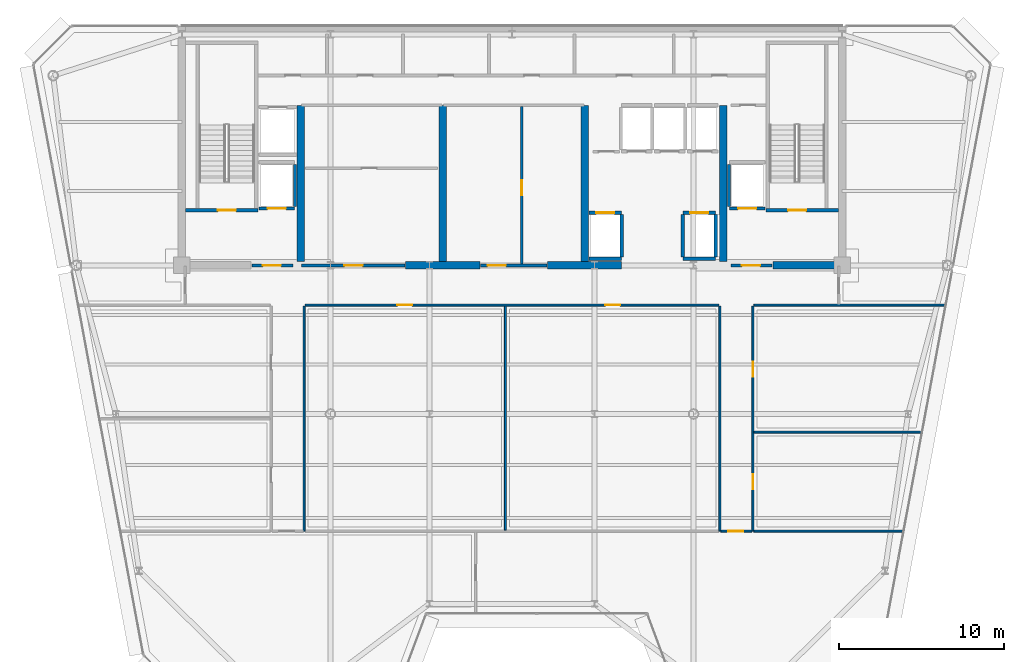
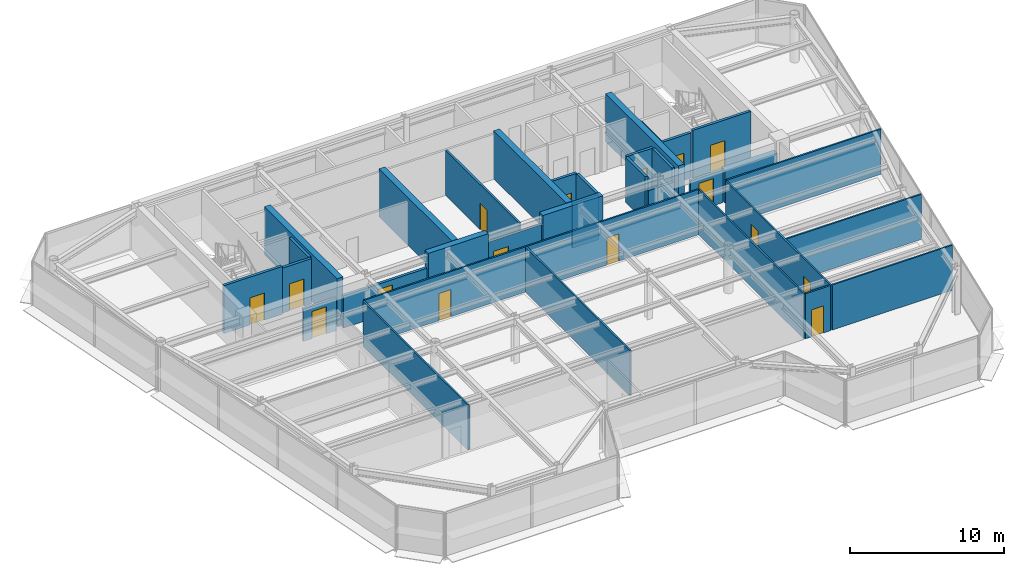
# One storey, part 10 of 19: 34 walls, 16 doors, 16 openings.
"""IFC4 building model written with IfcOpenShell, lengths in metres."""

from ifc_helpers import new_model, si_unit, direction, frame, frame_2d, origin, place, context, subcontext, project, spatial, rectangle, extrude, source, transform, mapped, material, layer, layer_set, type_object, element, fill, save


model = new_model("IFC4")

# Units and contexts
model_context = context("Model", 3, precision=1e-05, world=origin(), true_north=direction((0.0, 1.0)))
body_context = subcontext(model_context, "Body", "Model", "MODEL_VIEW")
ifc_project = project(units=[si_unit("LENGTHUNIT", "METRE"), si_unit("AREAUNIT", "SQUARE_METRE"), si_unit("VOLUMEUNIT", "CUBIC_METRE"), si_unit("PLANEANGLEUNIT", "RADIAN"), si_unit("MASSUNIT", "GRAM", prefix="KILO")], contexts=[model_context])

# Site, building, storey
site_placement = place(None, origin())
site = spatial("IfcSite", under=ifc_project, at=site_placement, CompositionType="ELEMENT")
building_placement = place(site_placement, origin())
building = spatial("IfcBuilding", under=site, at=building_placement, Name="Vaeldorn Concourse Tower", CompositionType="ELEMENT")
storey_placement = place(building_placement, frame((0.0, 0.0, 249.800048828125)))
storey = spatial("IfcBuildingStorey", under=building, at=storey_placement, Name="L64", CompositionType="ELEMENT", Elevation=249.800048828125)

# Walls
ifc_material_1 = material(Name="Concrete C50/60", Category="concrete")
ifc_layer_1 = layer(ifc_material_1, 0.449951171875)
ifc_layer_set_1 = layer_set([ifc_layer_1], Name="Concrete C50/60")
wall_type_1 = type_object("IfcWallType", Name="WL-CORE-450", PredefinedType="SHEAR", material=ifc_layer_set_1)
for number, where, z_axis, x_axis, name in (
    (1, (27.550048828125, 36.5, 0.0), (0.0, 0.0, 1.0), (1.0, 0.0, 0.0), "Rear Core Shear Wall L64 S2"),
    (2, (36.14990234375, 36.5, 0.0), (0.0, 0.0, 1.0), (1.0, 0.0, 0.0), "Rear Core Shear Wall L64 S3"),
):
    element("IfcWall", number, at=place(storey_placement, frame(where, z_axis=z_axis, x_axis=x_axis)), inside=storey, type_object=wall_type_1, Name=name, PredefinedType="SHEAR", context=body_context, shape_type="SweptSolid", body=[
        extrude(rectangle(XDim=4.5, YDim=0.449951171875, at=frame_2d((2.25, 0.0))), origin(), (0.0, 0.0, 1.0), 3.800048828125),
    ])
wall_1_placement = place(storey_placement, frame((49.800048828125, 36.5, 0.0), z_axis=(0.0, 0.0, 1.0), x_axis=(1.0, 0.0, 0.0)))
element("IfcWall", 3, at=wall_1_placement, inside=storey, type_object=wall_type_1, Name="Rear Core Shear Wall L64 S4", PredefinedType="SHEAR", context=body_context, shape_type="SweptSolid", body=[
    extrude(rectangle(XDim=3.954833984375, YDim=0.449951171875, at=frame_2d((1.9775390625, 0.0))), origin(), (0.0, 0.0, 1.0), 2.579833984375),
])
for number, where, z_axis, x_axis, name in (
    (4, (21.199951171875, 36.7451171875, 0.0), (0.0, 0.0, 1.0), (0.0, 1.0, 0.0), "Rear Core Shear Wall L64 M1"),
    (5, (29.800048828125, 36.7451171875, 0.0), (0.0, 0.0, 1.0), (0.0, 1.0, 0.0), "Rear Core Shear Wall L64 M2"),
    (6, (38.39990234375, 36.7451171875, 0.0), (0.0, 0.0, 1.0), (0.0, 1.0, 0.0), "Rear Core Shear Wall L64 M3"),
    (7, (46.800048828125, 36.7451171875, 0.0), (0.0, 0.0, 1.0), (0.0, 1.0, 0.0), "Rear Core Shear Wall L64 M4"),
):
    element("IfcWall", number, at=place(storey_placement, frame(where, z_axis=z_axis, x_axis=x_axis)), inside=storey, type_object=wall_type_1, Name=name, PredefinedType="SHEAR", context=body_context, shape_type="SweptSolid", body=[
        extrude(rectangle(XDim=9.454833984375, YDim=0.449951171875, at=frame_2d((4.7275390625, 0.0))), origin(), (0.0, 0.0, 1.0), 3.800048828125),
    ])

# Wall, openings, doors
ifc_material_2 = material(Name="Gypsum Board Partition", Category="gypsum")
ifc_layer_2 = layer(ifc_material_2, 0.1201171875)
ifc_layer_set_2 = layer_set([ifc_layer_2], Name="Gypsum Board Partition")
wall_type_2 = type_object("IfcWallType", Name="WL-PART-120", PredefinedType="PARTITIONING", material=ifc_layer_set_2)
wall_2_placement = place(storey_placement, frame((21.4599609375, 34.10009765625, 0.0), z_axis=(0.0, 0.0, 1.0), x_axis=(1.0, 0.0, 0.0)))
wall_2 = element("IfcWall", 8, at=wall_2_placement, inside=storey, type_object=wall_type_2, Name="Interior Wall PW-L64-CEWS", PredefinedType="PARTITIONING", context=body_context, shape_type="SweptSolid", body=[
    extrude(rectangle(XDim=25.080078125, YDim=0.1201171875, at=frame_2d((12.5400390625, 0.0))), origin(), (0.0, 0.0, 1.0), 3.579833984375),
])
opening_1_placement = place(wall_2_placement, frame((5.590087890625, 0.0, 0.0)))
opening_1 = element("IfcOpeningElement", 9, at=opening_1_placement, cuts=wall_2, Name="Opening D-03", PredefinedType="OPENING", context=body_context, shape_type="SweptSolid", body=[
    extrude(rectangle(XDim=0.89990234375, YDim=2.14990234375, at=frame_2d((0.449951171875, 1.074951171875))), frame((0.0, 0.070068359375, 0.0), z_axis=(0.0, -1.0, 0.0), x_axis=(1.0, 0.0, 0.0)), (0.0, 0.0, 1.0), 0.14013671875),
])
opening_2_placement = place(wall_2_placement, frame((18.18994140625, 0.0, 0.0)))
opening_2 = element("IfcOpeningElement", 10, at=opening_2_placement, cuts=wall_2, Name="Opening D-03", PredefinedType="OPENING", context=body_context, shape_type="SweptSolid", body=[
    extrude(rectangle(XDim=0.89990234375, YDim=2.14990234375, at=frame_2d((0.449951171875, 1.074951171875))), frame((0.0, 0.070068359375, 0.0), z_axis=(0.0, -1.0, 0.0), x_axis=(1.0, 0.0, 0.0)), (0.0, 0.0, 1.0), 0.14013671875),
])
ifc_material_3 = material(Name="Acoustic Bronze-Framed Glass Door", Category="glass")
door_type_1 = type_object("IfcDoorType", Name="DR-INT-900", OperationType="NOTDEFINED", PredefinedType="DOOR", material=ifc_material_3)
shared_shape_1 = source(origin(), body_context, "Body", "SweptSolid", [
    extrude(rectangle(XDim=0.89990234375, YDim=2.14990234375, at=frame_2d((0.449951171875, 1.074951171875))), frame((0.0, 0.02490234375, 0.0), z_axis=(0.0, -1.0, 0.0), x_axis=(1.0, 0.0, 0.0)), (0.0, 0.0, 1.0), 0.050048828125),
])
door_1_placement = place(opening_1_placement, origin())
door_1 = element("IfcDoor", 11, at=door_1_placement, inside=storey, type_object=door_type_1, Name="Interior Door DR-L64-H1", OperationType="SINGLE_SWING_LEFT", OverallHeight=2.14990234375, OverallWidth=0.89990234375, PredefinedType="DOOR", context=body_context, shape_type="MappedRepresentation", body=[
    mapped(shared_shape_1, transform((0.0, 0.0, 0.0), scale=1.0)),
])
fill(opening_1, door_1)
door_2_placement = place(opening_2_placement, origin())
door_2 = element("IfcDoor", 12, at=door_2_placement, inside=storey, type_object=door_type_1, Name="Interior Door DR-L64-H2", OperationType="SINGLE_SWING_RIGHT", OverallHeight=2.14990234375, OverallWidth=0.89990234375, PredefinedType="DOOR", context=body_context, shape_type="MappedRepresentation", body=[
    mapped(shared_shape_1, transform((0.0, 0.0, 0.0), scale=1.0)),
])
fill(opening_2, door_2)

# Walls
wall_3_placement = place(storey_placement, frame((48.659912109375, 34.10009765625, 0.0), z_axis=(0.0, 0.0, 1.0), x_axis=(1.0, 0.0, 0.0)))
element("IfcWall", 13, at=wall_3_placement, inside=storey, type_object=wall_type_2, Name="Interior Wall PW-L64-CEWE", PredefinedType="PARTITIONING", context=body_context, shape_type="SweptSolid", body=[
    extrude(rectangle(XDim=11.58154296875, YDim=0.1201171875, at=frame_2d((5.790771484375, 0.0))), origin(), (0.0, 0.0, 1.0), 3.579833984375),
])
for number, where, z_axis, x_axis, name in (
    (14, (21.39990234375, 20.39990234375, 0.0), (0.0, 0.0, 1.0), (0.0, 1.0, 0.0), "Interior Wall PW-L64-CWE"),
    (15, (46.60009765625, 20.39990234375, 0.0), (0.0, 0.0, 1.0), (0.0, 1.0, 0.0), "Interior Wall PW-L64-CEW"),
):
    element("IfcWall", number, at=place(storey_placement, frame(where, z_axis=z_axis, x_axis=x_axis)), inside=storey, type_object=wall_type_2, Name=name, PredefinedType="PARTITIONING", context=body_context, shape_type="SweptSolid", body=[
        extrude(rectangle(XDim=13.64013671875, YDim=0.1201171875, at=frame_2d((6.820068359375, 0.0))), origin(), (0.0, 0.0, 1.0), 3.579833984375),
    ])

# Wall, openings, doors
wall_4_placement = place(storey_placement, frame((48.60009765625, 20.39990234375, 0.0), z_axis=(0.0, 0.0, 1.0), x_axis=(0.0, 1.0, 0.0)))
wall_4 = element("IfcWall", 16, at=wall_4_placement, inside=storey, type_object=wall_type_2, Name="Interior Wall PW-L64-CEE", PredefinedType="PARTITIONING", context=body_context, shape_type="SweptSolid", body=[
    extrude(rectangle(XDim=13.64013671875, YDim=0.1201171875, at=frame_2d((6.820068359375, 0.0))), origin(), (0.0, 0.0, 1.0), 3.579833984375),
])
opening_3_placement = place(wall_4_placement, frame((2.550048828125, 0.0, 0.0)))
opening_3 = element("IfcOpeningElement", 17, at=opening_3_placement, cuts=wall_4, Name="Opening D-03", PredefinedType="OPENING", context=body_context, shape_type="SweptSolid", body=[
    extrude(rectangle(XDim=0.89990234375, YDim=2.14990234375, at=frame_2d((0.449951171875, 1.074951171875))), frame((0.0, 0.070068359375, 0.0), z_axis=(0.0, -1.0, 0.0), x_axis=(1.0, 0.0, 0.0)), (0.0, 0.0, 1.0), 0.14013671875),
])
opening_4_placement = place(wall_4_placement, frame((9.3701171875, 0.0, 0.0)))
opening_4 = element("IfcOpeningElement", 18, at=opening_4_placement, cuts=wall_4, Name="Opening D-03", PredefinedType="OPENING", context=body_context, shape_type="SweptSolid", body=[
    extrude(rectangle(XDim=0.89990234375, YDim=2.14990234375, at=frame_2d((0.449951171875, 1.074951171875))), frame((0.0, 0.070068359375, 0.0), z_axis=(0.0, -1.0, 0.0), x_axis=(1.0, 0.0, 0.0)), (0.0, 0.0, 1.0), 0.14013671875),
])
door_3_placement = place(opening_3_placement, origin())
door_3 = element("IfcDoor", 19, at=door_3_placement, inside=storey, type_object=door_type_1, Name="Interior Door DR-L64-E1", OperationType="SINGLE_SWING_RIGHT", OverallHeight=2.14990234375, OverallWidth=0.89990234375, PredefinedType="DOOR", context=body_context, shape_type="MappedRepresentation", body=[
    mapped(shared_shape_1, transform((0.0, 0.0, 0.0), scale=1.0)),
])
fill(opening_3, door_3)
door_4_placement = place(opening_4_placement, origin())
door_4 = element("IfcDoor", 20, at=door_4_placement, inside=storey, type_object=door_type_1, Name="Interior Door DR-L64-E2", OperationType="SINGLE_SWING_LEFT", OverallHeight=2.14990234375, OverallWidth=0.89990234375, PredefinedType="DOOR", context=body_context, shape_type="MappedRepresentation", body=[
    mapped(shared_shape_1, transform((0.0, 0.0, 0.0), scale=1.0)),
])
fill(opening_4, door_4)

# Wall, opening, door
wall_5_placement = place(storey_placement, frame((46.659912109375, 20.39990234375, 0.0), z_axis=(0.0, 0.0, 1.0), x_axis=(1.0, 0.0, 0.0)))
wall_5 = element("IfcWall", 21, at=wall_5_placement, inside=storey, type_object=wall_type_2, Name="Interior Wall PW-L64-CES", PredefinedType="PARTITIONING", context=body_context, shape_type="SweptSolid", body=[
    extrude(rectangle(XDim=1.880126953125, YDim=0.1201171875, at=frame_2d((0.93994140625, 0.0))), origin(), (0.0, 0.0, 1.0), 3.579833984375),
])
opening_5_placement = place(wall_5_placement, frame((0.449951171875, 0.0, 0.0)))
opening_5 = element("IfcOpeningElement", 22, at=opening_5_placement, cuts=wall_5, Name="Opening D-03", PredefinedType="OPENING", context=body_context, shape_type="SweptSolid", body=[
    extrude(rectangle(XDim=0.89990234375, YDim=2.14990234375, at=frame_2d((0.449951171875, 1.074951171875))), frame((0.0, 0.070068359375, 0.0), z_axis=(0.0, -1.0, 0.0), x_axis=(1.0, 0.0, 0.0)), (0.0, 0.0, 1.0), 0.14013671875),
])
door_5_placement = place(opening_5_placement, origin())
door_5 = element("IfcDoor", 23, at=door_5_placement, inside=storey, type_object=door_type_1, Name="Interior Door DR-L64-SEL", OperationType="SINGLE_SWING_RIGHT", OverallHeight=2.14990234375, OverallWidth=0.89990234375, PredefinedType="DOOR", context=body_context, shape_type="MappedRepresentation", body=[
    mapped(shared_shape_1, transform((0.0, 0.0, 0.0), scale=1.0)),
])
fill(opening_5, door_5)

# Walls
wall_6_placement = place(storey_placement, frame((48.659912109375, 20.39990234375, 0.0), z_axis=(0.0, 0.0, 1.0), x_axis=(1.0, 0.0, 0.0)))
element("IfcWall", 24, at=wall_6_placement, inside=storey, type_object=wall_type_2, Name="Interior Wall PW-L64-EY0", PredefinedType="PARTITIONING", context=body_context, shape_type="SweptSolid", body=[
    extrude(rectangle(XDim=9.030517578125, YDim=0.1201171875, at=frame_2d((4.51513671875, 0.0))), origin(), (0.0, 0.0, 1.0), 3.579833984375),
])
wall_7_placement = place(storey_placement, frame((48.659912109375, 26.39990234375, 0.0), z_axis=(0.0, 0.0, 1.0), x_axis=(1.0, 0.0, 0.0)))
element("IfcWall", 25, at=wall_7_placement, inside=storey, type_object=wall_type_2, Name="Interior Wall PW-L64-EY1", PredefinedType="PARTITIONING", context=body_context, shape_type="SweptSolid", body=[
    extrude(rectangle(XDim=10.147705078125, YDim=0.1201171875, at=frame_2d((5.07373046875, 0.0))), origin(), (0.0, 0.0, 1.0), 3.579833984375),
])
wall_8_placement = place(storey_placement, frame((33.60009765625, 20.4599609375, 0.0), z_axis=(0.0, 0.0, 1.0), x_axis=(0.0, 1.0, 0.0)))
element("IfcWall", 26, at=wall_8_placement, inside=storey, type_object=wall_type_2, Name="Interior Wall PW-L64-HX1", PredefinedType="PARTITIONING", context=body_context, shape_type="SweptSolid", body=[
    extrude(rectangle(XDim=13.580078125, YDim=0.1201171875, at=frame_2d((6.7900390625, 0.0))), origin(), (0.0, 0.0, 1.0), 3.579833984375),
])

# Wall, opening, door
ifc_layer_3 = layer(ifc_material_2, 0.14990234375)
ifc_layer_set_3 = layer_set([ifc_layer_3], Name="Gypsum Board Partition")
wall_type_3 = type_object("IfcWallType", Name="WL-PART-150", PredefinedType="PARTITIONING", material=ifc_layer_set_3)
wall_9_placement = place(storey_placement, frame((34.60009765625, 36.56005859375, 0.0), z_axis=(0.0, 0.0, 1.0), x_axis=(0.0, 1.0, 0.0)))
wall_9 = element("IfcWall", 27, at=wall_9_placement, inside=storey, type_object=wall_type_3, Name="Interior Wall CW-L64-R2M", PredefinedType="PARTITIONING", context=body_context, shape_type="SweptSolid", body=[
    extrude(rectangle(XDim=9.579833984375, YDim=0.14990234375, at=frame_2d((4.7900390625, 0.0))), origin(), (0.0, 0.0, 1.0), 3.579833984375),
])
opening_6_placement = place(wall_9_placement, frame((4.199951171875, 0.0, 0.0)))
opening_6 = element("IfcOpeningElement", 28, at=opening_6_placement, cuts=wall_9, Name="Opening D-02", PredefinedType="OPENING", context=body_context, shape_type="SweptSolid", body=[
    extrude(rectangle(XDim=0.89990234375, YDim=2.10009765625, at=frame_2d((0.449951171875, 1.050048828125))), frame((0.0, 0.0849609375, 0.0), z_axis=(0.0, -1.0, 0.0), x_axis=(1.0, 0.0, 0.0)), (0.0, 0.0, 1.0), 0.169921875),
])
ifc_material_4 = material(Name="Fire-Rated Timber Leaf", Category="wood")
door_type_2 = type_object("IfcDoorType", Name="DR-FD30-900", OperationType="NOTDEFINED", PredefinedType="DOOR", material=ifc_material_4)
shared_shape_2 = source(origin(), body_context, "Body", "SweptSolid", [
    extrude(rectangle(XDim=0.89990234375, YDim=2.10009765625, at=frame_2d((0.449951171875, 1.050048828125))), frame((0.0, 0.02490234375, 0.0), z_axis=(0.0, -1.0, 0.0), x_axis=(1.0, 0.0, 0.0)), (0.0, 0.0, 1.0), 0.050048828125),
])
door_6_placement = place(opening_6_placement, origin())
door_6 = element("IfcDoor", 29, at=door_6_placement, inside=storey, type_object=door_type_2, Name="Interior Door DR-L64-R2E", OperationType="SINGLE_SWING_RIGHT", OverallHeight=2.10009765625, OverallWidth=0.89990234375, PredefinedType="DOOR", context=body_context, shape_type="MappedRepresentation", body=[
    mapped(shared_shape_2, transform((0.0, 0.0, 0.0), scale=1.0)),
])
fill(opening_6, door_6)

ifc_layer_4 = layer(ifc_material_1, 0.199951171875)
ifc_layer_set_4 = layer_set([ifc_layer_4], Name="Concrete C50/60")
wall_type_4 = type_object("IfcWallType", Name="WL-SHAFT-200", PredefinedType="SOLIDWALL", material=ifc_layer_set_4)
wall_10_placement = place(storey_placement, frame((14.22509765625, 39.85009765625, 0.0), z_axis=(0.0, 0.0, 1.0), x_axis=(1.0, 0.0, 0.0)))
wall_10 = element("IfcWall", 30, at=wall_10_placement, inside=storey, type_object=wall_type_4, Name="Stair Shaft Wall CW-L64-ST-1-S", PredefinedType="SOLIDWALL", context=body_context, shape_type="SweptSolid", body=[
    extrude(rectangle(XDim=4.375, YDim=0.199951171875, at=frame_2d((2.1875, 0.0))), origin(), (0.0, 0.0, 1.0), 3.800048828125),
])
opening_7_placement = place(wall_10_placement, frame((1.949951171875, 0.0, 0.0)))
opening_7 = element("IfcOpeningElement", 31, at=opening_7_placement, cuts=wall_10, Name="Opening D-01", PredefinedType="OPENING", context=body_context, shape_type="SweptSolid", body=[
    extrude(rectangle(XDim=1.10009765625, YDim=2.14990234375, at=frame_2d((0.550048828125, 1.074951171875))), frame((0.0, 0.10986328125, 0.0), z_axis=(0.0, -1.0, 0.0), x_axis=(1.0, 0.0, 0.0)), (0.0, 0.0, 1.0), 0.219970703125),
])
ifc_material_5 = material(Name="Fire-Rated Timber and Steel Leaf", Category="steel")
door_type_3 = type_object("IfcDoorType", Name="DR-FD60-1100", OperationType="NOTDEFINED", PredefinedType="DOOR", material=ifc_material_5)
shared_shape_3 = source(origin(), body_context, "Body", "SweptSolid", [
    extrude(rectangle(XDim=1.10009765625, YDim=2.14990234375, at=frame_2d((0.550048828125, 1.074951171875))), frame((0.0, 0.02490234375, 0.0), z_axis=(0.0, -1.0, 0.0), x_axis=(1.0, 0.0, 0.0)), (0.0, 0.0, 1.0), 0.050048828125),
])
door_7_placement = place(opening_7_placement, origin())
door_7 = element("IfcDoor", 32, at=door_7_placement, inside=storey, type_object=door_type_3, Name="Interior Door DR-L64-ST-1", OperationType="SINGLE_SWING_LEFT", OverallHeight=2.14990234375, OverallWidth=1.10009765625, PredefinedType="DOOR", context=body_context, shape_type="MappedRepresentation", body=[
    mapped(shared_shape_3, transform((0.0, 0.0, 0.0), scale=1.0)),
])
fill(opening_7, door_7)

wall_11_placement = place(storey_placement, frame((49.39990234375, 39.85009765625, 0.0), z_axis=(0.0, 0.0, 1.0), x_axis=(1.0, 0.0, 0.0)))
wall_11 = element("IfcWall", 33, at=wall_11_placement, inside=storey, type_object=wall_type_4, Name="Stair Shaft Wall CW-L64-ST-2-S", PredefinedType="SOLIDWALL", context=body_context, shape_type="SweptSolid", body=[
    extrude(rectangle(XDim=4.375, YDim=0.199951171875, at=frame_2d((2.1875, 0.0))), origin(), (0.0, 0.0, 1.0), 3.800048828125),
])
opening_8_placement = place(wall_11_placement, frame((1.324951171875, 0.0, 0.0)))
opening_8 = element("IfcOpeningElement", 34, at=opening_8_placement, cuts=wall_11, Name="Opening D-01", PredefinedType="OPENING", context=body_context, shape_type="SweptSolid", body=[
    extrude(rectangle(XDim=1.10009765625, YDim=2.14990234375, at=frame_2d((0.550048828125, 1.074951171875))), frame((0.0, 0.10986328125, 0.0), z_axis=(0.0, -1.0, 0.0), x_axis=(1.0, 0.0, 0.0)), (0.0, 0.0, 1.0), 0.219970703125),
])
door_8_placement = place(opening_8_placement, origin())
door_8 = element("IfcDoor", 35, at=door_8_placement, inside=storey, type_object=door_type_3, Name="Interior Door DR-L64-ST-2", OperationType="SINGLE_SWING_RIGHT", OverallHeight=2.14990234375, OverallWidth=1.10009765625, PredefinedType="DOOR", context=body_context, shape_type="MappedRepresentation", body=[
    mapped(shared_shape_3, transform((0.0, 0.0, 0.0), scale=1.0)),
])
fill(opening_8, door_8)

wall_12_placement = place(storey_placement, frame((18.25, 36.5, 0.0), z_axis=(0.0, 0.0, 1.0), x_axis=(1.0, 0.0, 0.0)))
wall_12 = element("IfcWall", 36, at=wall_12_placement, inside=storey, type_object=wall_type_4, Name="Interior Wall CW-L64-FF1S", PredefinedType="SOLIDWALL", context=body_context, shape_type="SweptSolid", body=[
    extrude(rectangle(XDim=2.469970703125, YDim=0.199951171875, at=frame_2d((1.23486328125, 0.0))), origin(), (0.0, 0.0, 1.0), 2.570068359375),
])
opening_9_placement = place(wall_12_placement, frame((0.64990234375, 0.0, 0.0)))
opening_9 = element("IfcOpeningElement", 37, at=opening_9_placement, cuts=wall_12, Name="Opening D-01", PredefinedType="OPENING", context=body_context, shape_type="SweptSolid", body=[
    extrude(rectangle(XDim=1.10009765625, YDim=2.14990234375, at=frame_2d((0.550048828125, 1.074951171875))), frame((0.0, 0.10986328125, 0.0), z_axis=(0.0, -1.0, 0.0), x_axis=(1.0, 0.0, 0.0)), (0.0, 0.0, 1.0), 0.219970703125),
])
door_9_placement = place(opening_9_placement, origin())
door_9 = element("IfcDoor", 38, at=door_9_placement, inside=storey, type_object=door_type_3, Name="Interior Door DR-L64-FF1E", OperationType="SINGLE_SWING_RIGHT", OverallHeight=2.14990234375, OverallWidth=1.10009765625, PredefinedType="DOOR", context=body_context, shape_type="MappedRepresentation", body=[
    mapped(shared_shape_3, transform((0.0, 0.0, 0.0), scale=1.0)),
])
fill(opening_9, door_9)

wall_13_placement = place(storey_placement, frame((47.280029296875, 36.5, 0.0), z_axis=(0.0, 0.0, 1.0), x_axis=(1.0, 0.0, 0.0)))
wall_13 = element("IfcWall", 39, at=wall_13_placement, inside=storey, type_object=wall_type_4, Name="Interior Wall CW-L64-FF2S", PredefinedType="SOLIDWALL", context=body_context, shape_type="SweptSolid", body=[
    extrude(rectangle(XDim=2.469970703125, YDim=0.199951171875, at=frame_2d((1.23486328125, 0.0))), origin(), (0.0, 0.0, 1.0), 2.570068359375),
])
opening_10_placement = place(wall_13_placement, frame((0.64990234375, 0.0, 0.0)))
opening_10 = element("IfcOpeningElement", 40, at=opening_10_placement, cuts=wall_13, Name="Opening D-01", PredefinedType="OPENING", context=body_context, shape_type="SweptSolid", body=[
    extrude(rectangle(XDim=1.10009765625, YDim=2.14990234375, at=frame_2d((0.550048828125, 1.074951171875))), frame((0.0, 0.10986328125, 0.0), z_axis=(0.0, -1.0, 0.0), x_axis=(1.0, 0.0, 0.0)), (0.0, 0.0, 1.0), 0.219970703125),
])
door_10_placement = place(opening_10_placement, origin())
door_10 = element("IfcDoor", 41, at=door_10_placement, inside=storey, type_object=door_type_3, Name="Interior Door DR-L64-FF2W", OperationType="SINGLE_SWING_LEFT", OverallHeight=2.14990234375, OverallWidth=1.10009765625, PredefinedType="DOOR", context=body_context, shape_type="MappedRepresentation", body=[
    mapped(shared_shape_3, transform((0.0, 0.0, 0.0), scale=1.0)),
])
fill(opening_10, door_10)

wall_14_placement = place(storey_placement, frame((38.669921875, 39.699951171875, 0.0), z_axis=(0.0, 0.0, 1.0), x_axis=(1.0, 0.0, 0.0)))
wall_14 = element("IfcWall", 42, at=wall_14_placement, inside=storey, type_object=wall_type_4, Name="Interior Wall CW-L64-LF-LF-13", PredefinedType="SOLIDWALL", context=body_context, shape_type="SweptSolid", body=[
    extrude(rectangle(XDim=1.9599609375, YDim=0.199951171875, at=frame_2d((0.97998046875, 0.0))), origin(), (0.0, 0.0, 1.0), 3.579833984375),
])
opening_11_placement = place(wall_14_placement, frame((0.429931640625, 0.0, 0.0)))
opening_11 = element("IfcOpeningElement", 43, at=opening_11_placement, cuts=wall_14, Name="Opening LD-1", PredefinedType="OPENING", context=body_context, shape_type="SweptSolid", body=[
    extrude(rectangle(XDim=1.10009765625, YDim=2.14990234375, at=frame_2d((0.550048828125, 1.074951171875))), frame((0.0, 0.10986328125, 0.0), z_axis=(0.0, -1.0, 0.0), x_axis=(1.0, 0.0, 0.0)), (0.0, 0.0, 1.0), 0.219970703125),
])
ifc_material_6 = material(Name="Anodised Bronze Aluminium", Category="aluminium")
door_type_4 = type_object("IfcDoorType", Name="DR-LIFT-SLIDE-1100", OperationType="DOUBLE_DOOR_SLIDING", PredefinedType="DOOR", material=ifc_material_6)
door_11_placement = place(opening_11_placement, origin())
door_11 = element("IfcDoor", 44, at=door_11_placement, inside=storey, type_object=door_type_4, Name="Lift Landing Door LD-L64-LF-13", OperationType="DOUBLE_DOOR_SLIDING", OverallHeight=2.14990234375, OverallWidth=1.10009765625, PredefinedType="DOOR", context=body_context, shape_type="MappedRepresentation", body=[
    mapped(shared_shape_3, transform((0.0, 0.0, 0.0), scale=1.0)),
])
fill(opening_11, door_11)

# Walls
wall_15_placement = place(storey_placement, frame((38.669921875, 36.89990234375, 0.0), z_axis=(0.0, 0.0, 1.0), x_axis=(1.0, 0.0, 0.0)))
element("IfcWall", 45, at=wall_15_placement, inside=storey, type_object=wall_type_4, Name="Interior Wall CW-L64-LFB-LF-13", PredefinedType="SOLIDWALL", context=body_context, shape_type="SweptSolid", body=[
    extrude(rectangle(XDim=1.9599609375, YDim=0.199951171875, at=frame_2d((0.97998046875, 0.0))), origin(), (0.0, 0.0, 1.0), 3.579833984375),
])
wall_16_placement = place(storey_placement, frame((40.64990234375, 37.02001953125, 0.0), z_axis=(0.0, 0.0, 1.0), x_axis=(0.0, 1.0, 0.0)))
element("IfcWall", 46, at=wall_16_placement, inside=storey, type_object=wall_type_4, Name="Interior Wall CW-L64-LFE-LF-13", PredefinedType="SOLIDWALL", context=body_context, shape_type="SweptSolid", body=[
    extrude(rectangle(XDim=2.56005859375, YDim=0.199951171875, at=frame_2d((1.280029296875, 0.0))), origin(), (0.0, 0.0, 1.0), 3.579833984375),
])

# Wall, opening, door
wall_17_placement = place(storey_placement, frame((44.3701171875, 39.699951171875, 0.0), z_axis=(0.0, 0.0, 1.0), x_axis=(1.0, 0.0, 0.0)))
wall_17 = element("IfcWall", 47, at=wall_17_placement, inside=storey, type_object=wall_type_4, Name="Interior Wall CW-L64-LF-LF-14", PredefinedType="SOLIDWALL", context=body_context, shape_type="SweptSolid", body=[
    extrude(rectangle(XDim=1.9599609375, YDim=0.199951171875, at=frame_2d((0.97998046875, 0.0))), origin(), (0.0, 0.0, 1.0), 3.579833984375),
])
opening_12_placement = place(wall_17_placement, frame((0.429931640625, 0.0, 0.0)))
opening_12 = element("IfcOpeningElement", 48, at=opening_12_placement, cuts=wall_17, Name="Opening LD-1", PredefinedType="OPENING", context=body_context, shape_type="SweptSolid", body=[
    extrude(rectangle(XDim=1.10009765625, YDim=2.14990234375, at=frame_2d((0.550048828125, 1.074951171875))), frame((0.0, 0.10986328125, 0.0), z_axis=(0.0, -1.0, 0.0), x_axis=(1.0, 0.0, 0.0)), (0.0, 0.0, 1.0), 0.219970703125),
])
door_12_placement = place(opening_12_placement, origin())
door_12 = element("IfcDoor", 49, at=door_12_placement, inside=storey, type_object=door_type_4, Name="Lift Landing Door LD-L64-LF-14", OperationType="DOUBLE_DOOR_SLIDING", OverallHeight=2.14990234375, OverallWidth=1.10009765625, PredefinedType="DOOR", context=body_context, shape_type="MappedRepresentation", body=[
    mapped(shared_shape_3, transform((0.0, 0.0, 0.0), scale=1.0)),
])
fill(opening_12, door_12)

# Walls
wall_18_placement = place(storey_placement, frame((44.3701171875, 36.89990234375, 0.0), z_axis=(0.0, 0.0, 1.0), x_axis=(1.0, 0.0, 0.0)))
element("IfcWall", 50, at=wall_18_placement, inside=storey, type_object=wall_type_4, Name="Interior Wall CW-L64-LFB-LF-14", PredefinedType="SOLIDWALL", context=body_context, shape_type="SweptSolid", body=[
    extrude(rectangle(XDim=1.9599609375, YDim=0.199951171875, at=frame_2d((0.97998046875, 0.0))), origin(), (0.0, 0.0, 1.0), 2.570068359375),
])
for number, where, z_axis, x_axis, name in (
    (51, (44.35009765625, 37.02001953125, 0.0), (0.0, 0.0, 1.0), (0.0, 1.0, 0.0), "Interior Wall CW-L64-LFW-LF-14"),
    (52, (46.35009765625, 37.02001953125, 0.0), (0.0, 0.0, 1.0), (0.0, 1.0, 0.0), "Interior Wall CW-L64-LFE-LF-14"),
):
    element("IfcWall", number, at=place(storey_placement, frame(where, z_axis=z_axis, x_axis=x_axis)), inside=storey, type_object=wall_type_4, Name=name, PredefinedType="SOLIDWALL", context=body_context, shape_type="SweptSolid", body=[
        extrude(rectangle(XDim=2.56005859375, YDim=0.199951171875, at=frame_2d((1.280029296875, 0.0))), origin(), (0.0, 0.0, 1.0), 3.579833984375),
    ])

# Wall, opening, door
wall_19_placement = place(storey_placement, frame((18.669921875, 39.949951171875, 0.0), z_axis=(0.0, 0.0, 1.0), x_axis=(1.0, 0.0, 0.0)))
wall_19 = element("IfcWall", 53, at=wall_19_placement, inside=storey, type_object=wall_type_4, Name="Interior Wall CW-L64-LF-LF-FF1", PredefinedType="SOLIDWALL", context=body_context, shape_type="SweptSolid", body=[
    extrude(rectangle(XDim=2.16015625, YDim=0.199951171875, at=frame_2d((1.080078125, 0.0))), origin(), (0.0, 0.0, 1.0), 3.579833984375),
])
opening_13_placement = place(wall_19_placement, frame((0.530029296875, 0.0, 0.0)))
opening_13 = element("IfcOpeningElement", 54, at=opening_13_placement, cuts=wall_19, Name="Opening LD-1", PredefinedType="OPENING", context=body_context, shape_type="SweptSolid", body=[
    extrude(rectangle(XDim=1.10009765625, YDim=2.14990234375, at=frame_2d((0.550048828125, 1.074951171875))), frame((0.0, 0.10986328125, 0.0), z_axis=(0.0, -1.0, 0.0), x_axis=(1.0, 0.0, 0.0)), (0.0, 0.0, 1.0), 0.219970703125),
])
door_13_placement = place(opening_13_placement, origin())
door_13 = element("IfcDoor", 55, at=door_13_placement, inside=storey, type_object=door_type_4, Name="Lift Landing Door LD-L64-LF-FF1", OperationType="DOUBLE_DOOR_SLIDING", OverallHeight=2.14990234375, OverallWidth=1.10009765625, PredefinedType="DOOR", context=body_context, shape_type="MappedRepresentation", body=[
    mapped(shared_shape_3, transform((0.0, 0.0, 0.0), scale=1.0)),
])
fill(opening_13, door_13)

# Wall
wall_20_placement = place(storey_placement, frame((20.85009765625, 40.070068359375, 0.0), z_axis=(0.0, 0.0, 1.0), x_axis=(0.0, 1.0, 0.0)))
element("IfcWall", 56, at=wall_20_placement, inside=storey, type_object=wall_type_4, Name="Interior Wall CW-L64-LFE-LF-FF1", PredefinedType="SOLIDWALL", context=body_context, shape_type="SweptSolid", body=[
    extrude(rectangle(XDim=2.559814453125, YDim=0.199951171875, at=frame_2d((1.27978515625, 0.0))), origin(), (0.0, 0.0, 1.0), 3.579833984375),
])

# Wall, opening, door
wall_21_placement = place(storey_placement, frame((47.169921875, 39.949951171875, 0.0), z_axis=(0.0, 0.0, 1.0), x_axis=(1.0, 0.0, 0.0)))
wall_21 = element("IfcWall", 57, at=wall_21_placement, inside=storey, type_object=wall_type_4, Name="Interior Wall CW-L64-LF-LF-FF2", PredefinedType="SOLIDWALL", context=body_context, shape_type="SweptSolid", body=[
    extrude(rectangle(XDim=2.16015625, YDim=0.199951171875, at=frame_2d((1.080078125, 0.0))), origin(), (0.0, 0.0, 1.0), 3.579833984375),
])
opening_14_placement = place(wall_21_placement, frame((0.530029296875, 0.0, 0.0)))
opening_14 = element("IfcOpeningElement", 58, at=opening_14_placement, cuts=wall_21, Name="Opening LD-1", PredefinedType="OPENING", context=body_context, shape_type="SweptSolid", body=[
    extrude(rectangle(XDim=1.10009765625, YDim=2.14990234375, at=frame_2d((0.550048828125, 1.074951171875))), frame((0.0, 0.10986328125, 0.0), z_axis=(0.0, -1.0, 0.0), x_axis=(1.0, 0.0, 0.0)), (0.0, 0.0, 1.0), 0.219970703125),
])
door_14_placement = place(opening_14_placement, origin())
door_14 = element("IfcDoor", 59, at=door_14_placement, inside=storey, type_object=door_type_4, Name="Lift Landing Door LD-L64-LF-FF2", OperationType="DOUBLE_DOOR_SLIDING", OverallHeight=2.14990234375, OverallWidth=1.10009765625, PredefinedType="DOOR", context=body_context, shape_type="MappedRepresentation", body=[
    mapped(shared_shape_3, transform((0.0, 0.0, 0.0), scale=1.0)),
])
fill(opening_14, door_14)

# Wall
wall_22_placement = place(storey_placement, frame((47.14990234375, 40.070068359375, 0.0), z_axis=(0.0, 0.0, 1.0), x_axis=(0.0, 1.0, 0.0)))
element("IfcWall", 60, at=wall_22_placement, inside=storey, type_object=wall_type_4, Name="Interior Wall CW-L64-LFW-LF-FF2", PredefinedType="SOLIDWALL", context=body_context, shape_type="SweptSolid", body=[
    extrude(rectangle(XDim=2.559814453125, YDim=0.199951171875, at=frame_2d((1.27978515625, 0.0))), origin(), (0.0, 0.0, 1.0), 3.579833984375),
])

# Wall, opening, door
wall_23_placement = place(storey_placement, frame((21.25, 36.5, 0.0), z_axis=(0.0, 0.0, 1.0), x_axis=(1.0, 0.0, 0.0)))
wall_23 = element("IfcWall", 61, at=wall_23_placement, inside=storey, type_object=wall_type_4, Name="Interior Wall CW-L64-R1S", PredefinedType="SOLIDWALL", context=body_context, shape_type="SweptSolid", body=[
    extrude(rectangle(XDim=6.27001953125, YDim=0.199951171875, at=frame_2d((3.135009765625, 0.0))), origin(), (0.0, 0.0, 1.0), 2.570068359375),
])
opening_15_placement = place(wall_23_placement, frame((2.60009765625, 0.0, 0.0)))
opening_15 = element("IfcOpeningElement", 62, at=opening_15_placement, cuts=wall_23, Name="Opening D-01", PredefinedType="OPENING", context=body_context, shape_type="SweptSolid", body=[
    extrude(rectangle(XDim=1.10009765625, YDim=2.14990234375, at=frame_2d((0.550048828125, 1.074951171875))), frame((0.0, 0.10986328125, 0.0), z_axis=(0.0, -1.0, 0.0), x_axis=(1.0, 0.0, 0.0)), (0.0, 0.0, 1.0), 0.219970703125),
])
door_15_placement = place(opening_15_placement, origin())
door_15 = element("IfcDoor", 63, at=door_15_placement, inside=storey, type_object=door_type_3, Name="Interior Door DR-L64-R1S", OperationType="SINGLE_SWING_LEFT", OverallHeight=2.14990234375, OverallWidth=1.10009765625, PredefinedType="DOOR", context=body_context, shape_type="MappedRepresentation", body=[
    mapped(shared_shape_3, transform((0.0, 0.0, 0.0), scale=1.0)),
])
fill(opening_15, door_15)

wall_24_placement = place(storey_placement, frame((32.080078125, 36.5, 0.0), z_axis=(0.0, 0.0, 1.0), x_axis=(1.0, 0.0, 0.0)))
wall_24 = element("IfcWall", 64, at=wall_24_placement, inside=storey, type_object=wall_type_4, Name="Interior Wall CW-L64-R2S", PredefinedType="SOLIDWALL", context=body_context, shape_type="SweptSolid", body=[
    extrude(rectangle(XDim=4.0400390625, YDim=0.199951171875, at=frame_2d((2.02001953125, 0.0))), origin(), (0.0, 0.0, 1.0), 3.02001953125),
])
opening_16_placement = place(wall_24_placement, frame((0.449951171875, 0.0, 0.0)))
opening_16 = element("IfcOpeningElement", 65, at=opening_16_placement, cuts=wall_24, Name="Opening D-01", PredefinedType="OPENING", context=body_context, shape_type="SweptSolid", body=[
    extrude(rectangle(XDim=1.10009765625, YDim=2.14990234375, at=frame_2d((0.550048828125, 1.074951171875))), frame((0.0, 0.10986328125, 0.0), z_axis=(0.0, -1.0, 0.0), x_axis=(1.0, 0.0, 0.0)), (0.0, 0.0, 1.0), 0.219970703125),
])
door_16_placement = place(opening_16_placement, origin())
door_16 = element("IfcDoor", 66, at=door_16_placement, inside=storey, type_object=door_type_3, Name="Interior Door DR-L64-R2W", OperationType="SINGLE_SWING_LEFT", OverallHeight=2.14990234375, OverallWidth=1.10009765625, PredefinedType="DOOR", context=body_context, shape_type="MappedRepresentation", body=[
    mapped(shared_shape_3, transform((0.0, 0.0, 0.0), scale=1.0)),
])
fill(opening_16, door_16)

save(model, "model.ifc")
